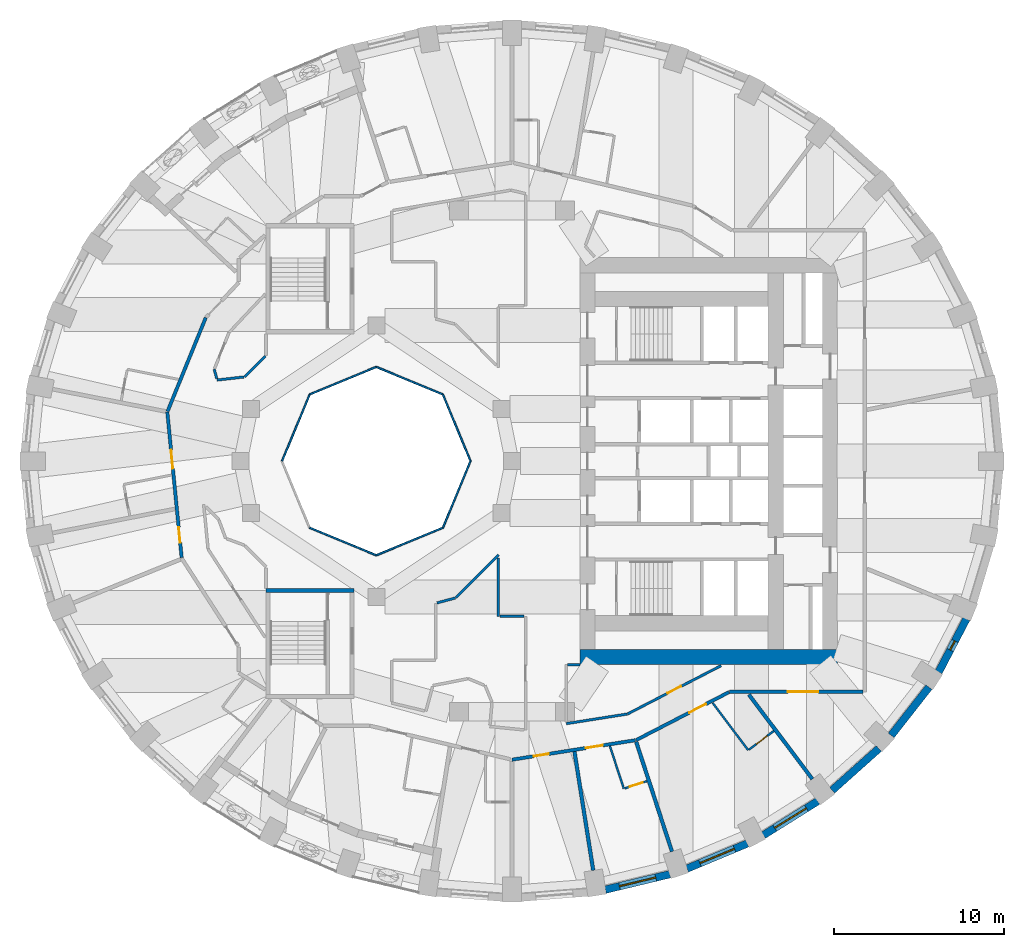
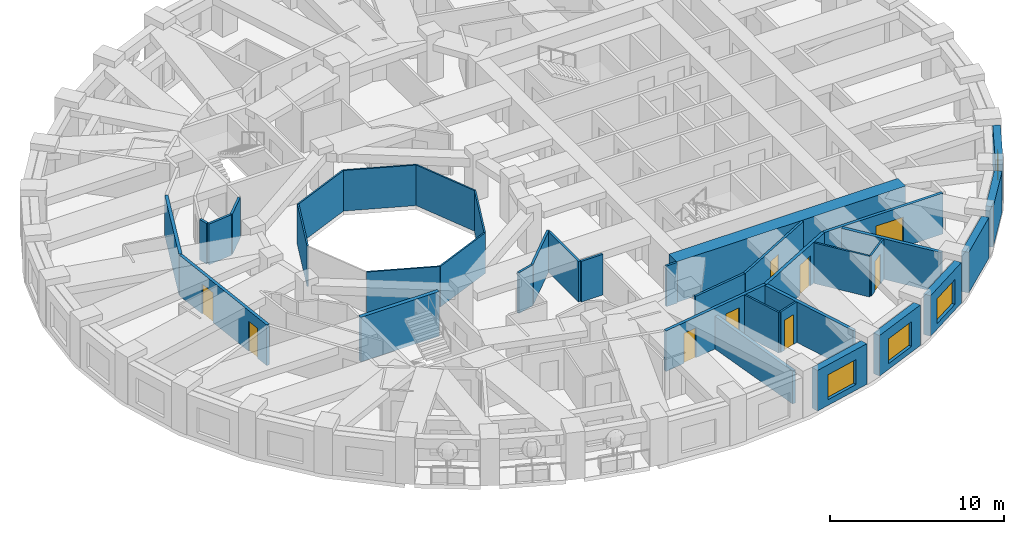
# One storey, part 5 of 13: 37 walls, 9 doors, 4 windows, 13 openings.
"""IFC4 building model written with IfcOpenShell, lengths in metres."""

from ifc_helpers import new_model, si_unit, direction, frame, frame_2d, origin, place, context, subcontext, project, spatial, rectangle, extrude, material, layer, layer_set, type_object, element, fill, save


model = new_model("IFC4")

# Units and contexts
model_context = context("Model", 3, precision=1e-05, world=origin(), true_north=direction((0.0, 1.0)))
body_context = subcontext(model_context, "Body", "Model", "MODEL_VIEW")
ifc_project = project(units=[si_unit("LENGTHUNIT", "METRE"), si_unit("AREAUNIT", "SQUARE_METRE"), si_unit("VOLUMEUNIT", "CUBIC_METRE"), si_unit("PLANEANGLEUNIT", "RADIAN"), si_unit("MASSUNIT", "GRAM", prefix="KILO")], contexts=[model_context])

# Site, building, storey
site_placement = place(None, origin())
site = spatial("IfcSite", under=ifc_project, at=site_placement, CompositionType="ELEMENT")
building_placement = place(site_placement, origin())
building = spatial("IfcBuilding", under=site, at=building_placement, Name="Taillehof Tower", CompositionType="ELEMENT")
storey_placement = place(building_placement, frame((0.0, 0.0, 81.10009765625)))
storey = spatial("IfcBuildingStorey", under=building, at=storey_placement, Name="L22", CompositionType="ELEMENT", Elevation=81.10009765625)

# Walls
ifc_material_1 = material(Name="Fire-resisting glass in steel frame", Category="steel")
ifc_layer_1 = layer(ifc_material_1, 0.10009765625)
ifc_layer_set_1 = layer_set([ifc_layer_1], Name="Atrium fire-resisting screen EI 60 100")
wall_type_1 = type_object("IfcWallType", Name="Atrium fire-resisting screen EI 60 100", PredefinedType="PARTITIONING", material=ifc_layer_set_1)
for number, where, z_axis, x_axis, name in (
    (1, (-2.44580078125, 0.0, 0.0), (0.0, 0.0, 1.0), (-0.382730523909, -0.923860025149, 0.0), "Atrium screen"),
    (2, (-4.07275390625, -3.92724609375, 0.0), (0.0, 0.0, 1.0), (-0.923860025149, -0.382730523909, 0.0), "Atrium screen"),
    (3, (-8.0, -5.55419921875, 0.0), (0.0, 0.0, 1.0), (-0.923860025149, 0.382730523909, 0.0), "Atrium screen"),
    (4, (-13.55419921875, 0.0, 0.0), (0.0, 0.0, 1.0), (0.382730523909, 0.923860025149, 0.0), "Atrium screen"),
    (5, (-11.92724609375, 3.92724609375, 0.0), (0.0, 0.0, 1.0), (0.923860025149, 0.382730523909, 0.0), "Atrium screen"),
    (6, (-8.0, 5.55419921875, 0.0), (0.0, 0.0, 1.0), (0.923860025149, -0.382730523909, 0.0), "Atrium screen"),
    (7, (-4.07275390625, 3.92724609375, 0.0), (0.0, 0.0, 1.0), (0.382730523909, -0.923860025149, 0.0), "Atrium screen"),
):
    element("IfcWall", number, at=place(storey_placement, frame(where, z_axis=z_axis, x_axis=x_axis)), inside=storey, type_object=wall_type_1, Name=name, PredefinedType="PARTITIONING", context=body_context, shape_type="SweptSolid", body=[
        extrude(rectangle(XDim=4.2509765625, YDim=0.10009765625, at=frame_2d((2.12548828125, 0.0))), origin(), (0.0, 0.0, 1.0), 2.849853515625),
    ])

# Wall, opening, window
ifc_material_2 = material(Name="Brick masonry", Category="masonry")
ifc_layer_2 = layer(ifc_material_2, 0.449951171875)
ifc_layer_set_2 = layer_set([ifc_layer_2], Name="Brick infill wall 450")
wall_type_2 = type_object("IfcWallType", Name="Brick infill wall 450", PredefinedType="SOLIDWALL", material=ifc_layer_set_2)
wall_1_placement = place(storey_placement, frame((5.50439453125, -25.260498046875, 0.0), z_axis=(0.0, 0.0, 1.0), x_axis=(0.972496561493, 0.232917233979, 0.0)))
wall_1 = element("IfcWall", 8, at=wall_1_placement, inside=storey, type_object=wall_type_2, Name="Brick wall L22 bay 29", PredefinedType="SOLIDWALL", context=body_context, shape_type="SweptSolid", body=[
    extrude(rectangle(XDim=3.910888671875, YDim=0.449951171875, at=frame_2d((1.95556640625, 0.0))), origin(), (0.0, 0.0, 1.0), 2.849853515625),
])
opening_1_placement = place(wall_1_placement, frame((0.855224609375, 0.0, 0.39990234375)))
opening_1 = element("IfcOpeningElement", 9, at=opening_1_placement, cuts=wall_1, Name="Opening W1", PredefinedType="OPENING", context=body_context, shape_type="SweptSolid", body=[
    extrude(rectangle(XDim=2.199951171875, YDim=1.75, at=frame_2d((1.10009765625, 0.875))), frame((0.0, 0.23486328125, 0.0), z_axis=(0.0, -1.0, 0.0), x_axis=(1.0, 0.0, 0.0)), (0.0, 0.0, 1.0), 0.469970703125),
])
ifc_material_3 = material(Name="Aluminium window frame with clear double glazing", Category="aluminium")
window_type_1 = type_object("IfcWindowType", Name="Deep-set window 2200x1750", PartitioningType="SINGLE_PANEL", PredefinedType="WINDOW", material=ifc_material_3)
window_1_placement = place(opening_1_placement, origin())
window_1 = element("IfcWindow", 10, at=window_1_placement, inside=storey, type_object=window_type_1, Name="W1", OverallHeight=1.75, OverallWidth=2.199951171875, PartitioningType="SINGLE_PANEL", PredefinedType="WINDOW", context=body_context, shape_type="SweptSolid", body=[
    extrude(rectangle(XDim=2.199951171875, YDim=1.75, at=frame_2d((1.10009765625, 0.875))), frame((0.0, 0.034912109375, 0.0), z_axis=(0.0, -1.0, 0.0), x_axis=(1.0, 0.0, 0.0)), (0.0, 0.0, 1.0), 0.06005859375),
])
fill(opening_1, window_1)

wall_2_placement = place(storey_placement, frame((10.3154296875, -24.02099609375, 0.0), z_axis=(0.0, 0.0, 1.0), x_axis=(0.923031964282, 0.384723267966, 0.0)))
wall_2 = element("IfcWall", 11, at=wall_2_placement, inside=storey, type_object=wall_type_2, Name="Brick wall L22 bay 30", PredefinedType="SOLIDWALL", context=body_context, shape_type="SweptSolid", body=[
    extrude(rectangle(XDim=3.8564453125, YDim=0.449951171875, at=frame_2d((1.92822265625, 0.0))), origin(), (0.0, 0.0, 1.0), 2.849853515625),
])
opening_2_placement = place(wall_2_placement, frame((0.828125, 0.0, 0.39990234375)))
opening_2 = element("IfcOpeningElement", 12, at=opening_2_placement, cuts=wall_2, Name="Opening W1", PredefinedType="OPENING", context=body_context, shape_type="SweptSolid", body=[
    extrude(rectangle(XDim=2.199951171875, YDim=1.75, at=frame_2d((1.10009765625, 0.875))), frame((0.0, 0.23486328125, 0.0), z_axis=(0.0, -1.0, 0.0), x_axis=(1.0, 0.0, 0.0)), (0.0, 0.0, 1.0), 0.469970703125),
])
window_2_placement = place(opening_2_placement, origin())
window_2 = element("IfcWindow", 13, at=window_2_placement, inside=storey, type_object=window_type_1, Name="W1", OverallHeight=1.75, OverallWidth=2.199951171875, PartitioningType="SINGLE_PANEL", PredefinedType="WINDOW", context=body_context, shape_type="SweptSolid", body=[
    extrude(rectangle(XDim=2.199951171875, YDim=1.75, at=frame_2d((1.10009765625, 0.875))), frame((0.0, 0.034912109375, 0.0), z_axis=(0.0, -1.0, 0.0), x_axis=(1.0, 0.0, 0.0)), (0.0, 0.0, 1.0), 0.06005859375),
])
fill(opening_2, window_2)

wall_3_placement = place(storey_placement, frame((14.81689453125, -22.050537109375, 0.0), z_axis=(0.0, 0.0, 1.0), x_axis=(0.847635480093, 0.530579016629, 0.0)))
wall_3 = element("IfcWall", 14, at=wall_3_placement, inside=storey, type_object=wall_type_2, Name="Brick wall L22 bay 31", PredefinedType="SOLIDWALL", context=body_context, shape_type="SweptSolid", body=[
    extrude(rectangle(XDim=3.782470703125, YDim=0.449951171875, at=frame_2d((1.89111328125, 0.0))), origin(), (0.0, 0.0, 1.0), 2.849853515625),
])
opening_3_placement = place(wall_3_placement, frame((0.791259765625, 0.0, 0.39990234375)))
opening_3 = element("IfcOpeningElement", 15, at=opening_3_placement, cuts=wall_3, Name="Opening W1", PredefinedType="OPENING", context=body_context, shape_type="SweptSolid", body=[
    extrude(rectangle(XDim=2.199951171875, YDim=1.75, at=frame_2d((1.10009765625, 0.875))), frame((0.0, 0.23486328125, 0.0), z_axis=(0.0, -1.0, 0.0), x_axis=(1.0, 0.0, 0.0)), (0.0, 0.0, 1.0), 0.469970703125),
])
window_3_placement = place(opening_3_placement, origin())
window_3 = element("IfcWindow", 16, at=window_3_placement, inside=storey, type_object=window_type_1, Name="W1", OverallHeight=1.75, OverallWidth=2.199951171875, PartitioningType="SINGLE_PANEL", PredefinedType="WINDOW", context=body_context, shape_type="SweptSolid", body=[
    extrude(rectangle(XDim=2.199951171875, YDim=1.75, at=frame_2d((1.10009765625, 0.875))), frame((0.0, 0.034912109375, 0.0), z_axis=(0.0, -1.0, 0.0), x_axis=(1.0, 0.0, 0.0)), (0.0, 0.0, 1.0), 0.06005859375),
])
fill(opening_3, window_3)

# Walls
wall_4_placement = place(storey_placement, frame((18.87060546875, -19.406982421875, 0.0), z_axis=(0.0, 0.0, 1.0), x_axis=(0.745526233716, 0.66647628228, 0.0)))
element("IfcWall", 17, at=wall_4_placement, inside=storey, type_object=wall_type_2, Name="Brick wall L22 bay 32", PredefinedType="SOLIDWALL", context=body_context, shape_type="SweptSolid", body=[
    extrude(rectangle(XDim=3.69677734375, YDim=0.449951171875, at=frame_2d((1.848388671875, 0.0))), origin(), (0.0, 0.0, 1.0), 2.849853515625),
])
wall_5_placement = place(storey_placement, frame((22.3515625, -16.169677734375, 0.0), z_axis=(0.0, 0.0, 1.0), x_axis=(0.616661975264, 0.787228053529, 0.0)))
element("IfcWall", 18, at=wall_5_placement, inside=storey, type_object=wall_type_2, Name="Brick wall L22 bay 33", PredefinedType="SOLIDWALL", context=body_context, shape_type="SweptSolid", body=[
    extrude(rectangle(XDim=3.60986328125, YDim=0.449951171875, at=frame_2d((1.804931640625, 0.0))), origin(), (0.0, 0.0, 1.0), 2.849853515625),
])

# Wall, opening, window
wall_6_placement = place(storey_placement, frame((25.152099609375, -12.436767578125, 0.0), z_axis=(0.0, 0.0, 1.0), x_axis=(0.462492775226, 0.886623050041, 0.0)))
wall_6 = element("IfcWall", 19, at=wall_6_placement, inside=storey, type_object=wall_type_2, Name="Brick wall L22 bay 34", PredefinedType="SOLIDWALL", context=body_context, shape_type="SweptSolid", body=[
    extrude(rectangle(XDim=3.531982421875, YDim=0.449951171875, at=frame_2d((1.76611328125, 0.0))), origin(), (0.0, 0.0, 1.0), 2.849853515625),
])
opening_4_placement = place(wall_6_placement, frame((1.466064453125, 0.0, 0.39990234375)))
opening_4 = element("IfcOpeningElement", 20, at=opening_4_placement, cuts=wall_6, Name="Opening W6", PredefinedType="OPENING", context=body_context, shape_type="SweptSolid", body=[
    extrude(rectangle(XDim=0.60009765625, YDim=1.75, at=frame_2d((0.300048828125, 0.875))), frame((0.0, 0.23486328125, 0.0), z_axis=(0.0, -1.0, 0.0), x_axis=(1.0, 0.0, 0.0)), (0.0, 0.0, 1.0), 0.469970703125),
])
ifc_material_4 = material(Name="Aluminium window frame with clear double glazing", Category="aluminium")
window_type_2 = type_object("IfcWindowType", Name="Slot window 600x1750", PartitioningType="SINGLE_PANEL", PredefinedType="WINDOW", material=ifc_material_4)
window_4_placement = place(opening_4_placement, origin())
window_4 = element("IfcWindow", 21, at=window_4_placement, inside=storey, type_object=window_type_2, Name="W6", OverallHeight=1.75, OverallWidth=0.60009765625, PartitioningType="SINGLE_PANEL", PredefinedType="WINDOW", context=body_context, shape_type="SweptSolid", body=[
    extrude(rectangle(XDim=0.60009765625, YDim=1.75, at=frame_2d((0.300048828125, 0.875))), frame((0.0, 0.034912109375, 0.0), z_axis=(0.0, -1.0, 0.0), x_axis=(1.0, 0.0, 0.0)), (0.0, 0.0, 1.0), 0.06005859375),
])
fill(opening_4, window_4)

# Wall, openings, doors
ifc_material_5 = material(Name="Gypsum board on steel studs, two layers each side", Category="steel")
ifc_layer_3 = layer(ifc_material_5, 0.199951171875)
ifc_layer_set_3 = layer_set([ifc_layer_3], Name="Compartment wall corridor 200")
wall_type_3 = type_object("IfcWallType", Name="Compartment wall corridor 200", PredefinedType="PARTITIONING", material=ifc_layer_set_3)
wall_7_placement = place(storey_placement, frame((-19.471923828125, -5.69287109375, 0.0), z_axis=(0.0, 0.0, 1.0), x_axis=(-0.097987963337, 0.995187599923, 0.0)))
wall_7 = element("IfcWall", 22, at=wall_7_placement, inside=storey, type_object=wall_type_3, Name="Compartment wall", PredefinedType="PARTITIONING", context=body_context, shape_type="SweptSolid", body=[
    extrude(rectangle(XDim=8.628173828125, YDim=0.199951171875, at=frame_2d((4.31396484375, 0.0))), origin(), (0.0, 0.0, 1.0), 2.849853515625),
])
opening_5_placement = place(wall_7_placement, frame((5.280029296875, 0.0, 0.0)))
opening_5 = element("IfcOpeningElement", 23, at=opening_5_placement, cuts=wall_7, Name="Opening D2250", PredefinedType="OPENING", context=body_context, shape_type="SweptSolid", body=[
    extrude(rectangle(XDim=1.10009765625, YDim=2.10009765625, at=frame_2d((0.550048828125, 1.050048828125))), frame((0.0, 0.10986328125, 0.0), z_axis=(0.0, -1.0, 0.0), x_axis=(1.0, 0.0, 0.0)), (0.0, 0.0, 1.0), 0.219970703125),
])
opening_6_placement = place(wall_7_placement, frame((0.896484375, 0.0, 0.0)))
opening_6 = element("IfcOpeningElement", 24, at=opening_6_placement, cuts=wall_7, Name="Opening D2252", PredefinedType="OPENING", context=body_context, shape_type="SweptSolid", body=[
    extrude(rectangle(XDim=0.89990234375, YDim=2.10009765625, at=frame_2d((0.449951171875, 1.050048828125))), frame((0.0, 0.10986328125, 0.0), z_axis=(0.0, -1.0, 0.0), x_axis=(1.0, 0.0, 0.0)), (0.0, 0.0, 1.0), 0.219970703125),
])
ifc_material_6 = material(Name="Timber door leaf in steel frame", Category="steel")
door_type_1 = type_object("IfcDoorType", Name="Service room door EI 30 900 x 2100", OperationType="SINGLE_SWING_LEFT", PredefinedType="DOOR", material=ifc_material_6)
door_1_placement = place(opening_6_placement, origin())
door_1 = element("IfcDoor", 25, at=door_1_placement, inside=storey, type_object=door_type_1, Name="D2252", OperationType="SINGLE_SWING_LEFT", OverallHeight=2.10009765625, OverallWidth=0.89990234375, PredefinedType="DOOR", context=body_context, shape_type="SweptSolid", body=[
    extrude(rectangle(XDim=0.89990234375, YDim=2.10009765625, at=frame_2d((0.449951171875, 1.050048828125))), frame((0.0, 0.02490234375, 0.0), z_axis=(0.0, -1.0, 0.0), x_axis=(1.0, 0.0, 0.0)), (0.0, 0.0, 1.0), 0.050048828125),
])
fill(opening_6, door_1)
ifc_material_7 = material(Name="Timber door leaf in steel frame", Category="steel")
door_type_2 = type_object("IfcDoorType", Name="Suite entrance door EI 30 1100 x 2100", OperationType="SINGLE_SWING_LEFT", PredefinedType="DOOR", material=ifc_material_7)
door_2_placement = place(opening_5_placement, origin())
door_2 = element("IfcDoor", 26, at=door_2_placement, inside=storey, type_object=door_type_2, Name="D2250", OperationType="SINGLE_SWING_LEFT", OverallHeight=2.10009765625, OverallWidth=1.10009765625, PredefinedType="DOOR", context=body_context, shape_type="SweptSolid", body=[
    extrude(rectangle(XDim=1.10009765625, YDim=2.10009765625, at=frame_2d((0.550048828125, 1.050048828125))), frame((0.0, 0.02490234375, 0.0), z_axis=(0.0, -1.0, 0.0), x_axis=(1.0, 0.0, 0.0)), (0.0, 0.0, 1.0), 0.050048828125),
])
fill(opening_5, door_2)

# Wall
wall_8_placement = place(storey_placement, frame((-20.30224609375, 2.930908203125, 0.0), z_axis=(0.0, 0.0, 1.0), x_axis=(0.377348916571, 0.926071160961, 0.0)))
element("IfcWall", 27, at=wall_8_placement, inside=storey, type_object=wall_type_3, Name="Compartment wall", PredefinedType="PARTITIONING", context=body_context, shape_type="SweptSolid", body=[
    extrude(rectangle(XDim=5.9619140625, YDim=0.199951171875, at=frame_2d((2.98095703125, 0.0))), origin(), (0.0, 0.0, 1.0), 2.849853515625),
])

# Wall, opening, door
wall_9_placement = place(storey_placement, frame((20.699951171875, -13.60009765625, 0.0), z_axis=(0.0, 0.0, 1.0), x_axis=(-1.0, 0.0, 0.0)))
wall_9 = element("IfcWall", 28, at=wall_9_placement, inside=storey, type_object=wall_type_3, Name="Compartment wall", PredefinedType="PARTITIONING", context=body_context, shape_type="SweptSolid", body=[
    extrude(rectangle(XDim=7.874755859375, YDim=0.199951171875, at=frame_2d((3.9375, 0.0))), origin(), (0.0, 0.0, 1.0), 2.849853515625),
])
opening_7_placement = place(wall_9_placement, frame((2.6376953125, 0.0, 0.0)))
opening_7 = element("IfcOpeningElement", 29, at=opening_7_placement, cuts=wall_9, Name="Opening D2265", PredefinedType="OPENING", context=body_context, shape_type="SweptSolid", body=[
    extrude(rectangle(XDim=1.800048828125, YDim=2.10009765625, at=frame_2d((0.89990234375, 1.050048828125))), frame((0.0, 0.10986328125, 0.0), z_axis=(0.0, -1.0, 0.0), x_axis=(1.0, 0.0, 0.0)), (0.0, 0.0, 1.0), 0.219970703125),
])
ifc_material_8 = material(Name="Timber door leaf in steel frame", Category="steel")
door_type_3 = type_object("IfcDoorType", Name="Lounge and meeting room double door EI 30 1800 x 2100", OperationType="SINGLE_SWING_LEFT", PredefinedType="DOOR", material=ifc_material_8)
door_3_placement = place(opening_7_placement, origin())
door_3 = element("IfcDoor", 30, at=door_3_placement, inside=storey, type_object=door_type_3, Name="D2265", OperationType="DOUBLE_DOOR_SINGLE_SWING", OverallHeight=2.10009765625, OverallWidth=1.800048828125, PredefinedType="DOOR", context=body_context, shape_type="SweptSolid", body=[
    extrude(rectangle(XDim=1.800048828125, YDim=2.10009765625, at=frame_2d((0.89990234375, 1.050048828125))), frame((0.0, 0.02490234375, 0.0), z_axis=(0.0, -1.0, 0.0), x_axis=(1.0, 0.0, 0.0)), (0.0, 0.0, 1.0), 0.050048828125),
])
fill(opening_7, door_3)

wall_10_placement = place(storey_placement, frame((12.78955078125, -13.61865234375, 0.0), z_axis=(0.0, 0.0, 1.0), x_axis=(-0.888545137607, -0.458789209152, 0.0)))
wall_10 = element("IfcWall", 31, at=wall_10_placement, inside=storey, type_object=wall_type_3, Name="Compartment wall", PredefinedType="PARTITIONING", context=body_context, shape_type="SweptSolid", body=[
    extrude(rectangle(XDim=6.163818359375, YDim=0.199951171875, at=frame_2d((3.08203125, 0.0))), origin(), (0.0, 0.0, 1.0), 2.849853515625),
])
opening_8_placement = place(wall_10_placement, frame((1.532958984375, 0.0, 0.0)))
opening_8 = element("IfcOpeningElement", 32, at=opening_8_placement, cuts=wall_10, Name="Opening D2263", PredefinedType="OPENING", context=body_context, shape_type="SweptSolid", body=[
    extrude(rectangle(XDim=1.10009765625, YDim=2.10009765625, at=frame_2d((0.550048828125, 1.050048828125))), frame((0.0, 0.10986328125, 0.0), z_axis=(0.0, -1.0, 0.0), x_axis=(1.0, 0.0, 0.0)), (0.0, 0.0, 1.0), 0.219970703125),
])
door_4_placement = place(opening_8_placement, origin())
door_4 = element("IfcDoor", 33, at=door_4_placement, inside=storey, type_object=door_type_2, Name="D2263", OperationType="SINGLE_SWING_LEFT", OverallHeight=2.10009765625, OverallWidth=1.10009765625, PredefinedType="DOOR", context=body_context, shape_type="SweptSolid", body=[
    extrude(rectangle(XDim=1.10009765625, YDim=2.10009765625, at=frame_2d((0.550048828125, 1.050048828125))), frame((0.0, 0.02490234375, 0.0), z_axis=(0.0, -1.0, 0.0), x_axis=(1.0, 0.0, 0.0)), (0.0, 0.0, 1.0), 0.050048828125),
])
fill(opening_8, door_4)

# Wall, openings, doors
wall_11_placement = place(storey_placement, frame((7.273193359375, -16.452880859375, 0.0), z_axis=(0.0, 0.0, 1.0), x_axis=(-0.987787686426, -0.155805925901, 0.0)))
wall_11 = element("IfcWall", 34, at=wall_11_placement, inside=storey, type_object=wall_type_3, Name="Compartment wall", PredefinedType="PARTITIONING", context=body_context, shape_type="SweptSolid", body=[
    extrude(rectangle(XDim=7.363037109375, YDim=0.199951171875, at=frame_2d((3.681640625, 0.0))), origin(), (0.0, 0.0, 1.0), 2.849853515625),
])
opening_9_placement = place(wall_11_placement, frame((5.160888671875, 0.0, 0.0)))
opening_9 = element("IfcOpeningElement", 35, at=opening_9_placement, cuts=wall_11, Name="Opening D2260", PredefinedType="OPENING", context=body_context, shape_type="SweptSolid", body=[
    extrude(rectangle(XDim=0.89990234375, YDim=2.10009765625, at=frame_2d((0.449951171875, 1.050048828125))), frame((0.0, 0.10986328125, 0.0), z_axis=(0.0, -1.0, 0.0), x_axis=(1.0, 0.0, 0.0)), (0.0, 0.0, 1.0), 0.219970703125),
])
opening_10_placement = place(wall_11_placement, frame((1.95703125, 0.0, 0.0)))
opening_10 = element("IfcOpeningElement", 36, at=opening_10_placement, cuts=wall_11, Name="Opening D2261", PredefinedType="OPENING", context=body_context, shape_type="SweptSolid", body=[
    extrude(rectangle(XDim=1.0, YDim=2.10009765625, at=frame_2d((0.5, 1.050048828125))), frame((0.0, 0.10986328125, 0.0), z_axis=(0.0, -1.0, 0.0), x_axis=(1.0, 0.0, 0.0)), (0.0, 0.0, 1.0), 0.219970703125),
])
ifc_material_9 = material(Name="Timber door leaf in steel frame", Category="steel")
door_type_4 = type_object("IfcDoorType", Name="Guest room door EI 30 1000 x 2100", OperationType="SINGLE_SWING_LEFT", PredefinedType="DOOR", material=ifc_material_9)
door_5_placement = place(opening_10_placement, origin())
door_5 = element("IfcDoor", 37, at=door_5_placement, inside=storey, type_object=door_type_4, Name="D2261", OperationType="SINGLE_SWING_LEFT", OverallHeight=2.10009765625, OverallWidth=1.0, PredefinedType="DOOR", context=body_context, shape_type="SweptSolid", body=[
    extrude(rectangle(XDim=1.0, YDim=2.10009765625, at=frame_2d((0.5, 1.050048828125))), frame((0.0, 0.02490234375, 0.0), z_axis=(0.0, -1.0, 0.0), x_axis=(1.0, 0.0, 0.0)), (0.0, 0.0, 1.0), 0.050048828125),
])
fill(opening_10, door_5)
door_6_placement = place(opening_9_placement, origin())
door_6 = element("IfcDoor", 38, at=door_6_placement, inside=storey, type_object=door_type_1, Name="D2260", OperationType="SINGLE_SWING_RIGHT", OverallHeight=2.10009765625, OverallWidth=0.89990234375, PredefinedType="DOOR", context=body_context, shape_type="SweptSolid", body=[
    extrude(rectangle(XDim=0.89990234375, YDim=2.10009765625, at=frame_2d((0.449951171875, 1.050048828125))), frame((0.0, 0.02490234375, 0.0), z_axis=(0.0, -1.0, 0.0), x_axis=(1.0, 0.0, 0.0)), (0.0, 0.0, 1.0), 0.050048828125),
])
fill(opening_9, door_6)

# Walls
ifc_material_10 = material(Name="Gypsum board on double steel studs with mineral wool", Category="steel")
ifc_layer_4 = layer(ifc_material_10, 0.219970703125)
ifc_layer_set_4 = layer_set([ifc_layer_4], Name="Compartment wall guest room 220")
wall_type_4 = type_object("IfcWallType", Name="Compartment wall guest room 220", PredefinedType="PARTITIONING", material=ifc_layer_set_4)
wall_12_placement = place(storey_placement, frame((4.788330078125, -24.12548828125, 0.0), z_axis=(0.0, 0.0, 1.0), x_axis=(-0.156119905599, 0.987738110572, 0.0)))
element("IfcWall", 39, at=wall_12_placement, inside=storey, type_object=wall_type_4, Name="Compartment wall", PredefinedType="PARTITIONING", context=body_context, shape_type="SweptSolid", body=[
    extrude(rectangle(XDim=7.091796875, YDim=0.219970703125, at=frame_2d((3.5458984375, 0.0))), origin(), (0.0, 0.0, 1.0), 2.2998046875),
])
wall_13_placement = place(storey_placement, frame((9.429443359375, -23.01416015625, 0.0), z_axis=(0.0, 0.0, 1.0), x_axis=(-0.310213813997, 0.95066681314, 0.0)))
element("IfcWall", 40, at=wall_13_placement, inside=storey, type_object=wall_type_4, Name="Compartment wall", PredefinedType="PARTITIONING", context=body_context, shape_type="SweptSolid", body=[
    extrude(rectangle(XDim=6.802978515625, YDim=0.219970703125, at=frame_2d((3.4013671875, 0.0))), origin(), (0.0, 0.0, 1.0), 2.849853515625),
])
wall_14_placement = place(storey_placement, frame((17.707763671875, -18.7431640625, 0.0), z_axis=(0.0, 0.0, 1.0), x_axis=(-0.601177883261, 0.799115231164, 0.0)))
element("IfcWall", 41, at=wall_14_placement, inside=storey, type_object=wall_type_4, Name="Compartment wall", PredefinedType="PARTITIONING", context=body_context, shape_type="SweptSolid", body=[
    extrude(rectangle(XDim=6.231201171875, YDim=0.219970703125, at=frame_2d((3.11572265625, 0.0))), origin(), (0.0, 0.0, 1.0), 2.849853515625),
])
ifc_material_11 = material(Name="Gypsum board on steel studs, two layers each side", Category="steel")
ifc_layer_5 = layer(ifc_material_11, 0.14990234375)
ifc_layer_set_5 = layer_set([ifc_layer_5], Name="Compartment wall service room 150")
wall_type_5 = type_object("IfcWallType", Name="Compartment wall service room 150", PredefinedType="PARTITIONING", material=ifc_layer_set_5)
wall_15_placement = place(storey_placement, frame((-14.54248046875, 6.185546875, 0.0), z_axis=(0.0, 0.0, 1.0), x_axis=(-0.707036257397, -0.707177297943, 0.0)))
element("IfcWall", 42, at=wall_15_placement, inside=storey, type_object=wall_type_5, Name="Compartment wall", PredefinedType="PARTITIONING", context=body_context, shape_type="SweptSolid", body=[
    extrude(rectangle(XDim=1.73095703125, YDim=0.14990234375, at=frame_2d((0.865478515625, 0.0))), origin(), (0.0, 0.0, 1.0), 2.849853515625),
])
wall_16_placement = place(storey_placement, frame((-15.805908203125, 4.95703125, 0.0), z_axis=(0.0, 0.0, 1.0), x_axis=(-0.993714030989, -0.111948312253, 0.0)))
element("IfcWall", 43, at=wall_16_placement, inside=storey, type_object=wall_type_5, Name="Compartment wall", PredefinedType="PARTITIONING", context=body_context, shape_type="SweptSolid", body=[
    extrude(rectangle(XDim=1.58984375, YDim=0.14990234375, at=frame_2d((0.794921875, 0.0))), origin(), (0.0, 0.0, 1.0), 2.849853515625),
])
wall_17_placement = place(storey_placement, frame((-17.4052734375, 4.856201171875, 0.0), z_axis=(0.0, 0.0, 1.0), x_axis=(-0.247510009529, 0.968885336447, 0.0)))
element("IfcWall", 44, at=wall_17_placement, inside=storey, type_object=wall_type_5, Name="Compartment wall", PredefinedType="PARTITIONING", context=body_context, shape_type="SweptSolid", body=[
    extrude(rectangle(XDim=0.5771484375, YDim=0.14990234375, at=frame_2d((0.28857421875, 0.0))), origin(), (0.0, 0.0, 1.0), 2.849853515625),
])
wall_18_placement = place(storey_placement, frame((-4.4228515625, -8.359130859375, 0.0), z_axis=(0.0, 0.0, 1.0), x_axis=(0.965872111433, 0.259019428529, 0.0)))
element("IfcWall", 45, at=wall_18_placement, inside=storey, type_object=wall_type_5, Name="Compartment wall", PredefinedType="PARTITIONING", context=body_context, shape_type="SweptSolid", body=[
    extrude(rectangle(XDim=1.119873046875, YDim=0.14990234375, at=frame_2d((0.56005859375, 0.0))), origin(), (0.0, 0.0, 1.0), 2.849853515625),
])
wall_19_placement = place(storey_placement, frame((-3.31298828125, -8.040771484375, 0.0), z_axis=(0.0, 0.0, 1.0), x_axis=(0.707106781187, 0.707106781187, 0.0)))
element("IfcWall", 46, at=wall_19_placement, inside=storey, type_object=wall_type_5, Name="Compartment wall", PredefinedType="PARTITIONING", context=body_context, shape_type="SweptSolid", body=[
    extrude(rectangle(XDim=3.553955078125, YDim=0.14990234375, at=frame_2d((1.77685546875, 0.0))), origin(), (0.0, 0.0, 1.0), 2.849853515625),
])
wall_20_placement = place(storey_placement, frame((-0.800048828125, -5.7080078125, 0.0), z_axis=(0.0, 0.0, 1.0), x_axis=(0.0, -1.0, 0.0)))
element("IfcWall", 47, at=wall_20_placement, inside=storey, type_object=wall_type_5, Name="Compartment wall", PredefinedType="PARTITIONING", context=body_context, shape_type="SweptSolid", body=[
    extrude(rectangle(XDim=3.44189453125, YDim=0.14990234375, at=frame_2d((1.720947265625, 0.0))), origin(), (0.0, 0.0, 1.0), 2.849853515625),
])
wall_21_placement = place(storey_placement, frame((-0.719970703125, -9.14990234375, 0.0), z_axis=(0.0, 0.0, 1.0), x_axis=(1.0, 0.0, 0.0)))
element("IfcWall", 48, at=wall_21_placement, inside=storey, type_object=wall_type_5, Name="Compartment wall", PredefinedType="PARTITIONING", context=body_context, shape_type="SweptSolid", body=[
    extrude(rectangle(XDim=1.43994140625, YDim=0.14990234375, at=frame_2d((0.719970703125, 0.0))), origin(), (0.0, 0.0, 1.0), 2.849853515625),
])

# Wall, opening, door
wall_22_placement = place(storey_placement, frame((12.31884765625, -12.060546875, 0.0), z_axis=(0.0, 0.0, 1.0), x_axis=(-0.888525413766, -0.458827406648, 0.0)))
wall_22 = element("IfcWall", 49, at=wall_22_placement, inside=storey, type_object=wall_type_5, Name="Compartment wall", PredefinedType="PARTITIONING", context=body_context, shape_type="SweptSolid", body=[
    extrude(rectangle(XDim=6.2021484375, YDim=0.14990234375, at=frame_2d((3.10107421875, 0.0))), origin(), (0.0, 0.0, 1.0), 2.849853515625),
])
opening_11_placement = place(wall_22_placement, frame((2.651123046875, 0.0, 0.0)))
opening_11 = element("IfcOpeningElement", 50, at=opening_11_placement, cuts=wall_22, Name="Opening D2273", PredefinedType="OPENING", context=body_context, shape_type="SweptSolid", body=[
    extrude(rectangle(XDim=0.89990234375, YDim=2.10009765625, at=frame_2d((0.449951171875, 1.050048828125))), frame((0.0, 0.0849609375, 0.0), z_axis=(0.0, -1.0, 0.0), x_axis=(1.0, 0.0, 0.0)), (0.0, 0.0, 1.0), 0.169921875),
])
door_7_placement = place(opening_11_placement, origin())
door_7 = element("IfcDoor", 51, at=door_7_placement, inside=storey, type_object=door_type_1, Name="D2273", OperationType="SINGLE_SWING_LEFT", OverallHeight=2.10009765625, OverallWidth=0.89990234375, PredefinedType="DOOR", context=body_context, shape_type="SweptSolid", body=[
    extrude(rectangle(XDim=0.89990234375, YDim=2.10009765625, at=frame_2d((0.449951171875, 1.050048828125))), frame((0.0, 0.02490234375, 0.0), z_axis=(0.0, -1.0, 0.0), x_axis=(1.0, 0.0, 0.0)), (0.0, 0.0, 1.0), 0.050048828125),
])
fill(opening_11, door_7)

# Walls
wall_23_placement = place(storey_placement, frame((6.788330078125, -14.909423828125, 0.0), z_axis=(0.0, 0.0, 1.0), x_axis=(-0.987791284458, -0.15578311317, 0.0)))
element("IfcWall", 52, at=wall_23_placement, inside=storey, type_object=wall_type_5, Name="Compartment wall", PredefinedType="PARTITIONING", context=body_context, shape_type="SweptSolid", body=[
    extrude(rectangle(XDim=3.6328125, YDim=0.14990234375, at=frame_2d((1.81640625, 0.0))), origin(), (0.0, 0.0, 1.0), 2.849853515625),
])
wall_24_placement = place(storey_placement, frame((3.280029296875, -12.0, 0.0), z_axis=(0.0, 0.0, 1.0), x_axis=(1.0, 0.0, 0.0)))
element("IfcWall", 53, at=wall_24_placement, inside=storey, type_object=wall_type_5, Name="Compartment wall", PredefinedType="PARTITIONING", context=body_context, shape_type="SweptSolid", body=[
    extrude(rectangle(XDim=0.720947265625, YDim=0.14990234375, at=frame_2d((0.3603515625, 0.0))), origin(), (0.0, 0.0, 1.0), 2.849853515625),
])
ifc_material_12 = material(Name="Concrete C80/95", Category="concrete")
ifc_layer_6 = layer(ifc_material_12, 0.89990234375)
ifc_layer_set_6 = layer_set([ifc_layer_6], Name="Core wall C80/95 900")
wall_type_6 = type_object("IfcWallType", Name="Core wall C80/95 900", PredefinedType="SHEAR", material=ifc_layer_set_6)
wall_25_placement = place(storey_placement, frame((4.0, -11.550048828125, 0.0), z_axis=(0.0, 0.0, 1.0), x_axis=(1.0, 0.0, 0.0)))
element("IfcWall", 54, at=wall_25_placement, inside=storey, type_object=wall_type_6, Name="Core wall CW04", PredefinedType="SHEAR", context=body_context, shape_type="SweptSolid", body=[
    extrude(rectangle(XDim=15.199951171875, YDim=0.89990234375, at=frame_2d((7.60009765625, 0.0))), origin(), (0.0, 0.0, 1.0), 2.849853515625),
])
ifc_material_13 = material(Name="Gypsum board on steel studs, moisture resistant", Category="steel")
ifc_layer_7 = layer(ifc_material_13, 0.1201171875)
ifc_layer_set_7 = layer_set([ifc_layer_7], Name="En-suite wall 120")
wall_type_7 = type_object("IfcWallType", Name="En-suite wall 120", PredefinedType="PARTITIONING", material=ifc_layer_set_7)
wall_26_placement = place(storey_placement, frame((5.768310546875, -16.79150390625, 0.0), z_axis=(0.0, 0.0, 1.0), x_axis=(0.310272506556, -0.950647659059, 0.0)))
element("IfcWall", 55, at=wall_26_placement, inside=storey, type_object=wall_type_7, Name="En-suite wall", PredefinedType="PARTITIONING", context=body_context, shape_type="SweptSolid", body=[
    extrude(rectangle(XDim=2.64697265625, YDim=0.1201171875, at=frame_2d((1.323486328125, 0.0))), origin(), (0.0, 0.0, 1.0), 2.849853515625),
])
wall_27_placement = place(storey_placement, frame((11.825439453125, -14.2509765625, 0.0), z_axis=(0.0, 0.0, 1.0), x_axis=(0.601196964615, -0.799100875821, 0.0)))
element("IfcWall", 56, at=wall_27_placement, inside=storey, type_object=wall_type_7, Name="En-suite wall", PredefinedType="PARTITIONING", context=body_context, shape_type="SweptSolid", body=[
    extrude(rectangle(XDim=3.489990234375, YDim=0.1201171875, at=frame_2d((1.7451171875, 0.0))), origin(), (0.0, 0.0, 1.0), 2.849853515625),
])

# Wall, opening, door
wall_28_placement = place(storey_placement, frame((6.646728515625, -19.28955078125, 0.0), z_axis=(0.0, 0.0, 1.0), x_axis=(0.950628893115, 0.310329997864, 0.0)))
wall_28 = element("IfcWall", 57, at=wall_28_placement, inside=storey, type_object=wall_type_7, Name="En-suite wall", PredefinedType="PARTITIONING", context=body_context, shape_type="SweptSolid", body=[
    extrude(rectangle(XDim=1.3798828125, YDim=0.1201171875, at=frame_2d((0.68994140625, 0.0))), origin(), (0.0, 0.0, 1.0), 2.849853515625),
])
opening_12_placement = place(wall_28_placement, frame((0.31494140625, 0.0, 0.0)))
opening_12 = element("IfcOpeningElement", 58, at=opening_12_placement, cuts=wall_28, Name="Opening D2262", PredefinedType="OPENING", context=body_context, shape_type="SweptSolid", body=[
    extrude(rectangle(XDim=0.800048828125, YDim=2.10009765625, at=frame_2d((0.39990234375, 1.050048828125))), frame((0.0, 0.070068359375, 0.0), z_axis=(0.0, -1.0, 0.0), x_axis=(1.0, 0.0, 0.0)), (0.0, 0.0, 1.0), 0.14013671875),
])
ifc_material_14 = material(Name="Timber door leaf in steel frame", Category="steel")
door_type_5 = type_object("IfcDoorType", Name="En-suite door 800 x 2100", OperationType="SINGLE_SWING_LEFT", PredefinedType="DOOR", material=ifc_material_14)
door_8_placement = place(opening_12_placement, origin())
door_8 = element("IfcDoor", 59, at=door_8_placement, inside=storey, type_object=door_type_5, Name="D2262", OperationType="SINGLE_SWING_RIGHT", OverallHeight=2.10009765625, OverallWidth=0.800048828125, PredefinedType="DOOR", context=body_context, shape_type="SweptSolid", body=[
    extrude(rectangle(XDim=0.800048828125, YDim=2.10009765625, at=frame_2d((0.39990234375, 1.050048828125))), frame((0.0, 0.02490234375, 0.0), z_axis=(0.0, -1.0, 0.0), x_axis=(1.0, 0.0, 0.0)), (0.0, 0.0, 1.0), 0.050048828125),
])
fill(opening_12, door_8)

wall_29_placement = place(storey_placement, frame((13.97119140625, -17.00390625, 0.0), z_axis=(0.0, 0.0, 1.0), x_axis=(0.799231057954, 0.60102388971, 0.0)))
wall_29 = element("IfcWall", 60, at=wall_29_placement, inside=storey, type_object=wall_type_7, Name="En-suite wall", PredefinedType="PARTITIONING", context=body_context, shape_type="SweptSolid", body=[
    extrude(rectangle(XDim=1.830322265625, YDim=0.1201171875, at=frame_2d((0.9150390625, 0.0))), origin(), (0.0, 0.0, 1.0), 2.849853515625),
])
opening_13_placement = place(wall_29_placement, frame((0.540283203125, 0.0, 0.0)))
opening_13 = element("IfcOpeningElement", 61, at=opening_13_placement, cuts=wall_29, Name="Opening D2264", PredefinedType="OPENING", context=body_context, shape_type="SweptSolid", body=[
    extrude(rectangle(XDim=0.800048828125, YDim=2.10009765625, at=frame_2d((0.39990234375, 1.050048828125))), frame((0.0, 0.070068359375, 0.0), z_axis=(0.0, -1.0, 0.0), x_axis=(1.0, 0.0, 0.0)), (0.0, 0.0, 1.0), 0.14013671875),
])
door_9_placement = place(opening_13_placement, origin())
door_9 = element("IfcDoor", 62, at=door_9_placement, inside=storey, type_object=door_type_5, Name="D2264", OperationType="SINGLE_SWING_LEFT", OverallHeight=2.10009765625, OverallWidth=0.800048828125, PredefinedType="DOOR", context=body_context, shape_type="SweptSolid", body=[
    extrude(rectangle(XDim=0.800048828125, YDim=2.10009765625, at=frame_2d((0.39990234375, 1.050048828125))), frame((0.0, 0.02490234375, 0.0), z_axis=(0.0, -1.0, 0.0), x_axis=(1.0, 0.0, 0.0)), (0.0, 0.0, 1.0), 0.050048828125),
])
fill(opening_13, door_9)

# Wall
ifc_material_15 = material(Name="Concrete C50/60", Category="concrete")
ifc_layer_8 = layer(ifc_material_15, 0.25)
ifc_layer_set_8 = layer_set([ifc_layer_8], Name="Stair wall C50/60 250")
wall_type_8 = type_object("IfcWallType", Name="Stair wall C50/60 250", PredefinedType="SHEAR", material=ifc_layer_set_8)
wall_30_placement = place(storey_placement, frame((-14.5, -7.625, -0.280029296875), z_axis=(0.0, 0.0, 1.0), x_axis=(1.0, 0.0, 0.0)))
element("IfcWall", 63, at=wall_30_placement, inside=storey, type_object=wall_type_8, Name="Stair wall SC", PredefinedType="SHEAR", context=body_context, shape_type="SweptSolid", body=[
    extrude(rectangle(XDim=5.199951171875, YDim=0.25, at=frame_2d((2.60009765625, 0.0))), origin(), (0.0, 0.0, 1.0), 3.1298828125),
])

save(model, "model.ifc")
